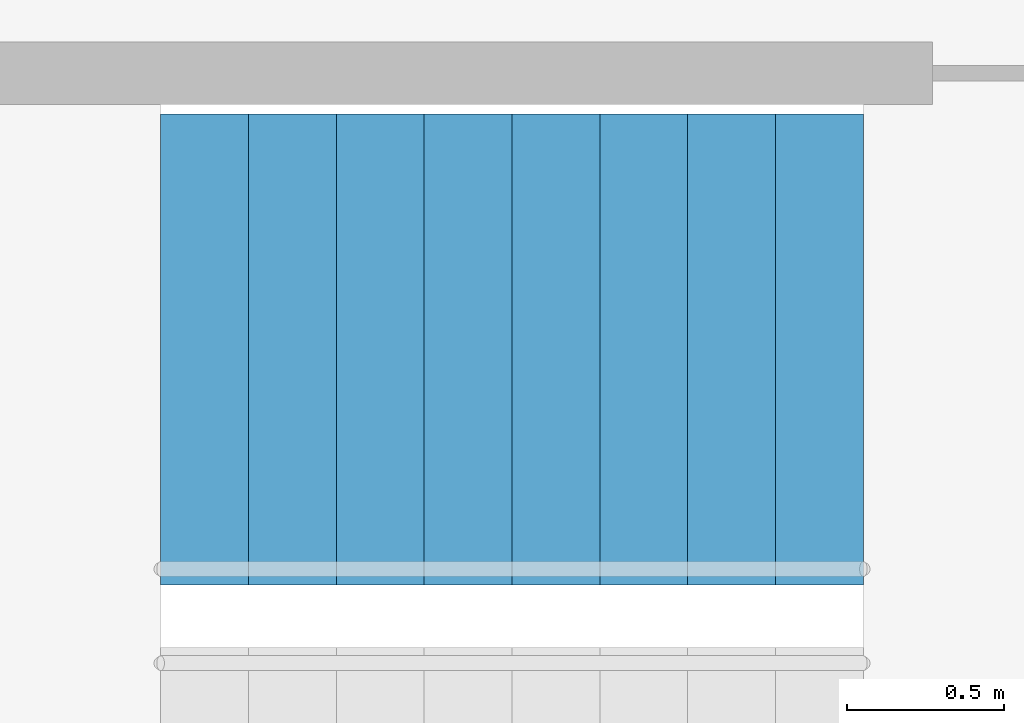
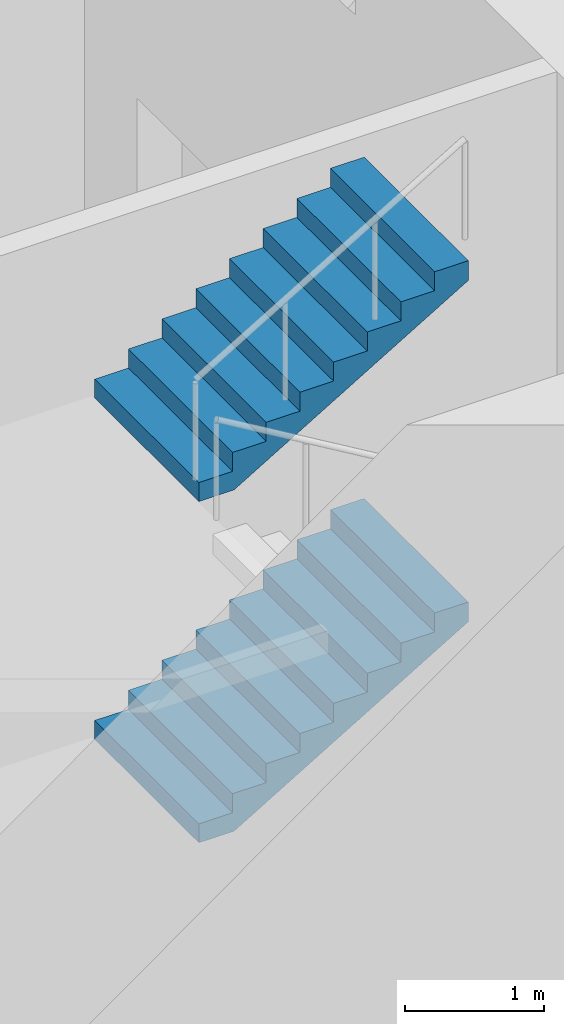
# One storey, part 20 of 21: 2 stair flights, 1 element without a shape of its own.
"""IFC4 building model written with IfcOpenShell, lengths in metres."""

from ifc_helpers import new_model, si_unit, direction, frame, origin, place, context, subcontext, project, spatial, triangles, material, type_object, element, aggregate, save


model = new_model("IFC4")

# Units and contexts
model_context = context("Model", 3, precision=1e-05, world=origin(), true_north=direction((0.0, 1.0)))
body_context = subcontext(model_context, "Body", "Model", "MODEL_VIEW")
ifc_project = project(units=[si_unit("LENGTHUNIT", "METRE"), si_unit("AREAUNIT", "SQUARE_METRE"), si_unit("VOLUMEUNIT", "CUBIC_METRE"), si_unit("PLANEANGLEUNIT", "RADIAN"), si_unit("MASSUNIT", "GRAM", prefix="KILO")], contexts=[model_context])

# Site, building, storey
site_placement = place(None, origin())
site = spatial("IfcSite", under=ifc_project, at=site_placement, CompositionType="ELEMENT")
building_placement = place(site_placement, origin())
building = spatial("IfcBuilding", under=site, at=building_placement, Name="Lantaw Convention Tower", CompositionType="ELEMENT")
storey_placement = place(building_placement, frame((0.0, 0.0, 284.39990234375)))
storey = spatial("IfcBuildingStorey", under=building, at=storey_placement, Name="L66", CompositionType="ELEMENT", Elevation=284.39990234375)

# Stair, stair flights
ifc_material = material(Name="Concrete C35/45", Category="concrete")
stair_type = type_object("IfcStairType", Name="Exit stair 1500 riser 166.67 in 4 flights", PredefinedType="HALF_TURN_STAIR", material=ifc_material)
stair_placement = place(storey_placement, origin())
stair = element("IfcStair", 1, at=stair_placement, inside=storey, type_object=stair_type, Name="Exit stair S2 L66", PredefinedType="HALF_TURN_STAIR")
stair_flight_type = type_object("IfcStairFlightType", Name="Stair flight 1500 riser 166.67", PredefinedType="STRAIGHT", material=ifc_material)
stair_flight_1_placement = place(storey_placement, frame((8.340087890625, -4.280029296875, 1.5), z_axis=(0.0, 0.0, 1.0), x_axis=(1.0, 0.0, 0.0)))
stair_flight_1 = element("IfcStairFlight", 2, at=stair_flight_1_placement, type_object=stair_flight_type, Name="S2 flight 2", NumberOfRisers=9, NumberOfTreads=8, PredefinedType="STRAIGHT", RiserHeight=0.166666667, TreadLength=0.28, context=body_context, shape_type="Tessellation", body=[
    triangles([(0.0, 0.75, 0.0), (0.0, 0.75, 0.166666667), (0.28, 0.75, 0.0), (0.28, 0.75, 0.166666667), (0.28, 0.75, 0.333333334), (0.2930734580690677, 0.75, 0.0), (0.2930734580690677, 0.75, 0.333333334), (0.56, 0.75, 0.1588848467052294), (0.56, 0.75, 0.333333334), (0.56, 0.75, 0.500000001), (0.8400000000000001, 0.75, 0.32555151370522933), (0.8400000000000001, 0.75, 0.500000001), (0.8400000000000001, 0.75, 0.666666668), (1.12, 0.75, 0.4922181807052293), (1.12, 0.75, 0.666666668), (1.12, 0.75, 0.833333335), (1.4000000000000001, 0.75, 0.6588848477052293), (1.4000000000000001, 0.75, 0.833333335), (1.4000000000000001, 0.75, 1.000000002), (1.6800000000000002, 0.75, 0.8255515147052293), (1.6800000000000002, 0.75, 1.000000002), (1.6800000000000002, 0.75, 1.166666669), (1.9600000000000002, 0.75, 0.9922181817052292), (1.9600000000000002, 0.75, 1.166666669), (1.9600000000000002, 0.75, 1.333333336), (2.24, 0.75, 1.1588848487052292), (2.24, 0.75, 1.333333336), (0.0, -0.75, 0.0), (0.0, -0.75, 0.166666667), (0.28, -0.75, 0.0), (0.28, -0.75, 0.166666667), (0.28, -0.75, 0.333333334), (0.2930734580690677, -0.75, 0.0), (0.2930734580690677, -0.75, 0.333333334), (0.56, -0.75, 0.1588848467052294), (0.56, -0.75, 0.333333334), (0.56, -0.75, 0.500000001), (0.8400000000000001, -0.75, 0.32555151370522933), (0.8400000000000001, -0.75, 0.500000001), (0.8400000000000001, -0.75, 0.666666668), (1.12, -0.75, 0.4922181807052293), (1.12, -0.75, 0.666666668), (1.12, -0.75, 0.833333335), (1.4000000000000001, -0.75, 0.6588848477052293), (1.4000000000000001, -0.75, 0.833333335), (1.4000000000000001, -0.75, 1.000000002), (1.6800000000000002, -0.75, 0.8255515147052293), (1.6800000000000002, -0.75, 1.000000002), (1.6800000000000002, -0.75, 1.166666669), (1.9600000000000002, -0.75, 0.9922181817052292), (1.9600000000000002, -0.75, 1.166666669), (1.9600000000000002, -0.75, 1.333333336), (2.24, -0.75, 1.1588848487052292), (2.24, -0.75, 1.333333336), (0.0, 0.15000000000000002, 0.166666667), (0.0, 0.15000000000000002, 0.0), (0.0, 0.0, 0.166666667), (0.0, 0.0, 0.0), (0.0, -0.15000000000000002, 0.166666667), (0.0, -0.15000000000000002, 0.0), (0.28, 0.15000000000000002, 0.333333334), (0.28, 0.15000000000000002, 0.166666667), (0.28, 0.0, 0.333333334), (0.28, 0.0, 0.166666667), (0.28, -0.15000000000000002, 0.333333334), (0.28, -0.15000000000000002, 0.166666667), (0.56, 0.15000000000000002, 0.500000001), (0.56, 0.15000000000000002, 0.333333334), (0.56, 0.0, 0.500000001), (0.56, 0.0, 0.333333334), (0.56, -0.15000000000000002, 0.500000001), (0.56, -0.15000000000000002, 0.333333334), (0.8400000000000001, 0.15000000000000002, 0.666666668), (0.8400000000000001, 0.15000000000000002, 0.500000001), (0.8400000000000001, 0.0, 0.666666668), (0.8400000000000001, 0.0, 0.500000001), (0.8400000000000001, -0.15000000000000002, 0.666666668), (0.8400000000000001, -0.15000000000000002, 0.500000001), (1.12, 0.15000000000000002, 0.833333335), (1.12, 0.15000000000000002, 0.666666668), (1.12, 0.0, 0.833333335), (1.12, 0.0, 0.666666668), (1.12, -0.15000000000000002, 0.833333335), (1.12, -0.15000000000000002, 0.666666668), (1.4000000000000001, 0.15000000000000002, 1.000000002), (1.4000000000000001, 0.15000000000000002, 0.833333335), (1.4000000000000001, 0.0, 1.000000002), (1.4000000000000001, 0.0, 0.833333335), (1.4000000000000001, -0.15000000000000002, 1.000000002), (1.4000000000000001, -0.15000000000000002, 0.833333335), (1.6800000000000002, 0.15000000000000002, 1.166666669), (1.6800000000000002, 0.15000000000000002, 1.000000002), (1.6800000000000002, 0.0, 1.166666669), (1.6800000000000002, 0.0, 1.000000002), (1.6800000000000002, -0.15000000000000002, 1.166666669), (1.6800000000000002, -0.15000000000000002, 1.000000002), (1.9600000000000002, 0.15000000000000002, 1.333333336), (1.9600000000000002, 0.15000000000000002, 1.166666669), (1.9600000000000002, 0.0, 1.333333336), (1.9600000000000002, 0.0, 1.166666669), (1.9600000000000002, -0.15000000000000002, 1.333333336), (1.9600000000000002, -0.15000000000000002, 1.166666669), (0.2930734580690677, 0.15000000000000002, 0.333333334), (0.2930734580690677, 0.0, 0.333333334), (0.2930734580690677, -0.15000000000000002, 0.333333334), (2.24, 0.15000000000000002, 1.333333336), (2.24, 0.0, 1.333333336), (2.24, -0.15000000000000002, 1.333333336), (2.24, 0.15000000000000002, 1.1588848487052292), (2.24, 0.0, 1.1588848487052292), (2.24, -0.15000000000000002, 1.1588848487052292), (1.9600000000000002, 0.15000000000000002, 0.9922181817052292), (1.9600000000000002, 0.0, 0.9922181817052292), (1.9600000000000002, -0.15000000000000002, 0.9922181817052292), (1.6800000000000002, 0.15000000000000002, 0.8255515147052293), (1.6800000000000002, 0.0, 0.8255515147052293), (1.6800000000000002, -0.15000000000000002, 0.8255515147052293), (1.4000000000000001, 0.15000000000000002, 0.6588848477052293), (1.4000000000000001, 0.0, 0.6588848477052293), (1.4000000000000001, -0.15000000000000002, 0.6588848477052293), (1.12, 0.15000000000000002, 0.4922181807052293), (1.12, 0.0, 0.4922181807052293), (1.12, -0.15000000000000002, 0.4922181807052293), (0.8400000000000001, 0.15000000000000002, 0.32555151370522933), (0.8400000000000001, 0.0, 0.32555151370522933), (0.8400000000000001, -0.15000000000000002, 0.32555151370522933), (0.56, 0.15000000000000002, 0.1588848467052294), (0.56, 0.0, 0.1588848467052294), (0.56, -0.15000000000000002, 0.1588848467052294), (0.2930734580690677, 0.15000000000000002, 0.0), (0.2930734580690677, 0.0, 0.0), (0.2930734580690677, -0.15000000000000002, 0.0), (0.28, 0.15000000000000002, 0.0), (0.28, 0.0, 0.0), (0.28, -0.15000000000000002, 0.0)], [[1, 4, 3], [1, 2, 4], [3, 4, 6], [4, 7, 6], [4, 5, 7], [6, 9, 8], [6, 7, 9], [8, 9, 11], [9, 12, 11], [9, 10, 12], [11, 12, 14], [12, 15, 14], [12, 13, 15], [14, 15, 17], [15, 18, 17], [15, 16, 18], [17, 18, 20], [18, 21, 20], [18, 19, 21], [20, 21, 23], [21, 24, 23], [21, 22, 24], [23, 24, 26], [24, 27, 26], [24, 25, 27], [28, 30, 31], [28, 31, 29], [30, 33, 31], [31, 33, 34], [31, 34, 32], [33, 35, 36], [33, 36, 34], [35, 38, 36], [36, 38, 39], [36, 39, 37], [38, 41, 39], [39, 41, 42], [39, 42, 40], [41, 44, 42], [42, 44, 45], [42, 45, 43], [44, 47, 45], [45, 47, 48], [45, 48, 46], [47, 50, 48], [48, 50, 51], [48, 51, 49], [50, 53, 51], [51, 53, 54], [51, 54, 52], [1, 55, 2], [1, 56, 55], [56, 57, 55], [56, 58, 57], [58, 59, 57], [58, 60, 59], [60, 29, 59], [60, 28, 29], [4, 61, 5], [4, 62, 61], [62, 63, 61], [62, 64, 63], [64, 65, 63], [64, 66, 65], [66, 32, 65], [66, 31, 32], [9, 67, 10], [9, 68, 67], [68, 69, 67], [68, 70, 69], [70, 71, 69], [70, 72, 71], [72, 37, 71], [72, 36, 37], [12, 73, 13], [12, 74, 73], [74, 75, 73], [74, 76, 75], [76, 77, 75], [76, 78, 77], [78, 40, 77], [78, 39, 40], [15, 79, 16], [15, 80, 79], [80, 81, 79], [80, 82, 81], [82, 83, 81], [82, 84, 83], [84, 43, 83], [84, 42, 43], [18, 85, 19], [18, 86, 85], [86, 87, 85], [86, 88, 87], [88, 89, 87], [88, 90, 89], [90, 46, 89], [90, 45, 46], [21, 91, 22], [21, 92, 91], [92, 93, 91], [92, 94, 93], [94, 95, 93], [94, 96, 95], [96, 49, 95], [96, 48, 49], [24, 97, 25], [24, 98, 97], [98, 99, 97], [98, 100, 99], [100, 101, 99], [100, 102, 101], [102, 52, 101], [102, 51, 52], [2, 62, 4], [2, 55, 62], [55, 64, 62], [55, 57, 64], [57, 66, 64], [57, 59, 66], [59, 31, 66], [59, 29, 31], [5, 103, 7], [5, 61, 103], [61, 104, 103], [61, 63, 104], [63, 105, 104], [63, 65, 105], [65, 34, 105], [65, 32, 34], [7, 68, 9], [7, 103, 68], [103, 70, 68], [103, 104, 70], [104, 72, 70], [104, 105, 72], [105, 36, 72], [105, 34, 36], [10, 74, 12], [10, 67, 74], [67, 76, 74], [67, 69, 76], [69, 78, 76], [69, 71, 78], [71, 39, 78], [71, 37, 39], [13, 80, 15], [13, 73, 80], [73, 82, 80], [73, 75, 82], [75, 84, 82], [75, 77, 84], [77, 42, 84], [77, 40, 42], [16, 86, 18], [16, 79, 86], [79, 88, 86], [79, 81, 88], [81, 90, 88], [81, 83, 90], [83, 45, 90], [83, 43, 45], [19, 92, 21], [19, 85, 92], [85, 94, 92], [85, 87, 94], [87, 96, 94], [87, 89, 96], [89, 48, 96], [89, 46, 48], [22, 98, 24], [22, 91, 98], [91, 100, 98], [91, 93, 100], [93, 102, 100], [93, 95, 102], [95, 51, 102], [95, 49, 51], [25, 106, 27], [25, 97, 106], [97, 107, 106], [97, 99, 107], [99, 108, 107], [99, 101, 108], [101, 54, 108], [101, 52, 54], [27, 109, 26], [27, 106, 109], [106, 110, 109], [106, 107, 110], [107, 111, 110], [107, 108, 111], [108, 53, 111], [108, 54, 53], [26, 112, 23], [26, 109, 112], [109, 113, 112], [109, 110, 113], [110, 114, 113], [110, 111, 114], [111, 50, 114], [111, 53, 50], [23, 115, 20], [23, 112, 115], [112, 116, 115], [112, 113, 116], [113, 117, 116], [113, 114, 117], [114, 47, 117], [114, 50, 47], [20, 118, 17], [20, 115, 118], [115, 119, 118], [115, 116, 119], [116, 120, 119], [116, 117, 120], [117, 44, 120], [117, 47, 44], [17, 121, 14], [17, 118, 121], [118, 122, 121], [118, 119, 122], [119, 123, 122], [119, 120, 123], [120, 41, 123], [120, 44, 41], [14, 124, 11], [14, 121, 124], [121, 125, 124], [121, 122, 125], [122, 126, 125], [122, 123, 126], [123, 38, 126], [123, 41, 38], [11, 127, 8], [11, 124, 127], [124, 128, 127], [124, 125, 128], [125, 129, 128], [125, 126, 129], [126, 35, 129], [126, 38, 35], [8, 130, 6], [8, 127, 130], [127, 131, 130], [127, 128, 131], [128, 132, 131], [128, 129, 132], [129, 33, 132], [129, 35, 33], [6, 133, 3], [6, 130, 133], [130, 134, 133], [130, 131, 134], [131, 135, 134], [131, 132, 135], [132, 30, 135], [132, 33, 30], [3, 56, 1], [3, 133, 56], [133, 58, 56], [133, 134, 58], [134, 60, 58], [134, 135, 60], [135, 28, 60], [135, 30, 28]], closed=True),
])
stair_flight_2_placement = place(storey_placement, frame((8.340087890625, -4.280029296875, 4.5), z_axis=(0.0, 0.0, 1.0), x_axis=(1.0, 0.0, 0.0)))
stair_flight_2 = element("IfcStairFlight", 3, at=stair_flight_2_placement, type_object=stair_flight_type, Name="S2 flight 4", NumberOfRisers=9, NumberOfTreads=8, PredefinedType="STRAIGHT", RiserHeight=0.166666667, TreadLength=0.28, context=body_context, shape_type="Tessellation", body=[
    triangles([(0.0, 0.75, 0.0), (0.0, 0.75, 0.166666667), (0.28, 0.75, 0.0), (0.28, 0.75, 0.166666667), (0.28, 0.75, 0.333333334), (0.2930734580690677, 0.75, 0.0), (0.2930734580690677, 0.75, 0.333333334), (0.56, 0.75, 0.1588848467052294), (0.56, 0.75, 0.333333334), (0.56, 0.75, 0.500000001), (0.8400000000000001, 0.75, 0.32555151370522933), (0.8400000000000001, 0.75, 0.500000001), (0.8400000000000001, 0.75, 0.666666668), (1.12, 0.75, 0.4922181807052293), (1.12, 0.75, 0.666666668), (1.12, 0.75, 0.833333335), (1.4000000000000001, 0.75, 0.6588848477052293), (1.4000000000000001, 0.75, 0.833333335), (1.4000000000000001, 0.75, 1.000000002), (1.6800000000000002, 0.75, 0.8255515147052293), (1.6800000000000002, 0.75, 1.000000002), (1.6800000000000002, 0.75, 1.166666669), (1.9600000000000002, 0.75, 0.9922181817052292), (1.9600000000000002, 0.75, 1.166666669), (1.9600000000000002, 0.75, 1.333333336), (2.24, 0.75, 1.1588848487052292), (2.24, 0.75, 1.333333336), (0.0, -0.75, 0.0), (0.0, -0.75, 0.166666667), (0.28, -0.75, 0.0), (0.28, -0.75, 0.166666667), (0.28, -0.75, 0.333333334), (0.2930734580690677, -0.75, 0.0), (0.2930734580690677, -0.75, 0.333333334), (0.56, -0.75, 0.1588848467052294), (0.56, -0.75, 0.333333334), (0.56, -0.75, 0.500000001), (0.8400000000000001, -0.75, 0.32555151370522933), (0.8400000000000001, -0.75, 0.500000001), (0.8400000000000001, -0.75, 0.666666668), (1.12, -0.75, 0.4922181807052293), (1.12, -0.75, 0.666666668), (1.12, -0.75, 0.833333335), (1.4000000000000001, -0.75, 0.6588848477052293), (1.4000000000000001, -0.75, 0.833333335), (1.4000000000000001, -0.75, 1.000000002), (1.6800000000000002, -0.75, 0.8255515147052293), (1.6800000000000002, -0.75, 1.000000002), (1.6800000000000002, -0.75, 1.166666669), (1.9600000000000002, -0.75, 0.9922181817052292), (1.9600000000000002, -0.75, 1.166666669), (1.9600000000000002, -0.75, 1.333333336), (2.24, -0.75, 1.1588848487052292), (2.24, -0.75, 1.333333336), (0.0, 0.15000000000000002, 0.166666667), (0.0, 0.15000000000000002, 0.0), (0.0, 0.0, 0.166666667), (0.0, 0.0, 0.0), (0.0, -0.15000000000000002, 0.166666667), (0.0, -0.15000000000000002, 0.0), (0.28, 0.15000000000000002, 0.333333334), (0.28, 0.15000000000000002, 0.166666667), (0.28, 0.0, 0.333333334), (0.28, 0.0, 0.166666667), (0.28, -0.15000000000000002, 0.333333334), (0.28, -0.15000000000000002, 0.166666667), (0.56, 0.15000000000000002, 0.500000001), (0.56, 0.15000000000000002, 0.333333334), (0.56, 0.0, 0.500000001), (0.56, 0.0, 0.333333334), (0.56, -0.15000000000000002, 0.500000001), (0.56, -0.15000000000000002, 0.333333334), (0.8400000000000001, 0.15000000000000002, 0.666666668), (0.8400000000000001, 0.15000000000000002, 0.500000001), (0.8400000000000001, 0.0, 0.666666668), (0.8400000000000001, 0.0, 0.500000001), (0.8400000000000001, -0.15000000000000002, 0.666666668), (0.8400000000000001, -0.15000000000000002, 0.500000001), (1.12, 0.15000000000000002, 0.833333335), (1.12, 0.15000000000000002, 0.666666668), (1.12, 0.0, 0.833333335), (1.12, 0.0, 0.666666668), (1.12, -0.15000000000000002, 0.833333335), (1.12, -0.15000000000000002, 0.666666668), (1.4000000000000001, 0.15000000000000002, 1.000000002), (1.4000000000000001, 0.15000000000000002, 0.833333335), (1.4000000000000001, 0.0, 1.000000002), (1.4000000000000001, 0.0, 0.833333335), (1.4000000000000001, -0.15000000000000002, 1.000000002), (1.4000000000000001, -0.15000000000000002, 0.833333335), (1.6800000000000002, 0.15000000000000002, 1.166666669), (1.6800000000000002, 0.15000000000000002, 1.000000002), (1.6800000000000002, 0.0, 1.166666669), (1.6800000000000002, 0.0, 1.000000002), (1.6800000000000002, -0.15000000000000002, 1.166666669), (1.6800000000000002, -0.15000000000000002, 1.000000002), (1.9600000000000002, 0.15000000000000002, 1.333333336), (1.9600000000000002, 0.15000000000000002, 1.166666669), (1.9600000000000002, 0.0, 1.333333336), (1.9600000000000002, 0.0, 1.166666669), (1.9600000000000002, -0.15000000000000002, 1.333333336), (1.9600000000000002, -0.15000000000000002, 1.166666669), (0.2930734580690677, 0.15000000000000002, 0.333333334), (0.2930734580690677, 0.0, 0.333333334), (0.2930734580690677, -0.15000000000000002, 0.333333334), (2.24, 0.15000000000000002, 1.333333336), (2.24, 0.0, 1.333333336), (2.24, -0.15000000000000002, 1.333333336), (2.24, 0.15000000000000002, 1.1588848487052292), (2.24, 0.0, 1.1588848487052292), (2.24, -0.15000000000000002, 1.1588848487052292), (1.9600000000000002, 0.15000000000000002, 0.9922181817052292), (1.9600000000000002, 0.0, 0.9922181817052292), (1.9600000000000002, -0.15000000000000002, 0.9922181817052292), (1.6800000000000002, 0.15000000000000002, 0.8255515147052293), (1.6800000000000002, 0.0, 0.8255515147052293), (1.6800000000000002, -0.15000000000000002, 0.8255515147052293), (1.4000000000000001, 0.15000000000000002, 0.6588848477052293), (1.4000000000000001, 0.0, 0.6588848477052293), (1.4000000000000001, -0.15000000000000002, 0.6588848477052293), (1.12, 0.15000000000000002, 0.4922181807052293), (1.12, 0.0, 0.4922181807052293), (1.12, -0.15000000000000002, 0.4922181807052293), (0.8400000000000001, 0.15000000000000002, 0.32555151370522933), (0.8400000000000001, 0.0, 0.32555151370522933), (0.8400000000000001, -0.15000000000000002, 0.32555151370522933), (0.56, 0.15000000000000002, 0.1588848467052294), (0.56, 0.0, 0.1588848467052294), (0.56, -0.15000000000000002, 0.1588848467052294), (0.2930734580690677, 0.15000000000000002, 0.0), (0.2930734580690677, 0.0, 0.0), (0.2930734580690677, -0.15000000000000002, 0.0), (0.28, 0.15000000000000002, 0.0), (0.28, 0.0, 0.0), (0.28, -0.15000000000000002, 0.0)], [[1, 4, 3], [1, 2, 4], [3, 4, 6], [4, 7, 6], [4, 5, 7], [6, 9, 8], [6, 7, 9], [8, 9, 11], [9, 12, 11], [9, 10, 12], [11, 12, 14], [12, 15, 14], [12, 13, 15], [14, 15, 17], [15, 18, 17], [15, 16, 18], [17, 18, 20], [18, 21, 20], [18, 19, 21], [20, 21, 23], [21, 24, 23], [21, 22, 24], [23, 24, 26], [24, 27, 26], [24, 25, 27], [28, 30, 31], [28, 31, 29], [30, 33, 31], [31, 33, 34], [31, 34, 32], [33, 35, 36], [33, 36, 34], [35, 38, 36], [36, 38, 39], [36, 39, 37], [38, 41, 39], [39, 41, 42], [39, 42, 40], [41, 44, 42], [42, 44, 45], [42, 45, 43], [44, 47, 45], [45, 47, 48], [45, 48, 46], [47, 50, 48], [48, 50, 51], [48, 51, 49], [50, 53, 51], [51, 53, 54], [51, 54, 52], [1, 55, 2], [1, 56, 55], [56, 57, 55], [56, 58, 57], [58, 59, 57], [58, 60, 59], [60, 29, 59], [60, 28, 29], [4, 61, 5], [4, 62, 61], [62, 63, 61], [62, 64, 63], [64, 65, 63], [64, 66, 65], [66, 32, 65], [66, 31, 32], [9, 67, 10], [9, 68, 67], [68, 69, 67], [68, 70, 69], [70, 71, 69], [70, 72, 71], [72, 37, 71], [72, 36, 37], [12, 73, 13], [12, 74, 73], [74, 75, 73], [74, 76, 75], [76, 77, 75], [76, 78, 77], [78, 40, 77], [78, 39, 40], [15, 79, 16], [15, 80, 79], [80, 81, 79], [80, 82, 81], [82, 83, 81], [82, 84, 83], [84, 43, 83], [84, 42, 43], [18, 85, 19], [18, 86, 85], [86, 87, 85], [86, 88, 87], [88, 89, 87], [88, 90, 89], [90, 46, 89], [90, 45, 46], [21, 91, 22], [21, 92, 91], [92, 93, 91], [92, 94, 93], [94, 95, 93], [94, 96, 95], [96, 49, 95], [96, 48, 49], [24, 97, 25], [24, 98, 97], [98, 99, 97], [98, 100, 99], [100, 101, 99], [100, 102, 101], [102, 52, 101], [102, 51, 52], [2, 62, 4], [2, 55, 62], [55, 64, 62], [55, 57, 64], [57, 66, 64], [57, 59, 66], [59, 31, 66], [59, 29, 31], [5, 103, 7], [5, 61, 103], [61, 104, 103], [61, 63, 104], [63, 105, 104], [63, 65, 105], [65, 34, 105], [65, 32, 34], [7, 68, 9], [7, 103, 68], [103, 70, 68], [103, 104, 70], [104, 72, 70], [104, 105, 72], [105, 36, 72], [105, 34, 36], [10, 74, 12], [10, 67, 74], [67, 76, 74], [67, 69, 76], [69, 78, 76], [69, 71, 78], [71, 39, 78], [71, 37, 39], [13, 80, 15], [13, 73, 80], [73, 82, 80], [73, 75, 82], [75, 84, 82], [75, 77, 84], [77, 42, 84], [77, 40, 42], [16, 86, 18], [16, 79, 86], [79, 88, 86], [79, 81, 88], [81, 90, 88], [81, 83, 90], [83, 45, 90], [83, 43, 45], [19, 92, 21], [19, 85, 92], [85, 94, 92], [85, 87, 94], [87, 96, 94], [87, 89, 96], [89, 48, 96], [89, 46, 48], [22, 98, 24], [22, 91, 98], [91, 100, 98], [91, 93, 100], [93, 102, 100], [93, 95, 102], [95, 51, 102], [95, 49, 51], [25, 106, 27], [25, 97, 106], [97, 107, 106], [97, 99, 107], [99, 108, 107], [99, 101, 108], [101, 54, 108], [101, 52, 54], [27, 109, 26], [27, 106, 109], [106, 110, 109], [106, 107, 110], [107, 111, 110], [107, 108, 111], [108, 53, 111], [108, 54, 53], [26, 112, 23], [26, 109, 112], [109, 113, 112], [109, 110, 113], [110, 114, 113], [110, 111, 114], [111, 50, 114], [111, 53, 50], [23, 115, 20], [23, 112, 115], [112, 116, 115], [112, 113, 116], [113, 117, 116], [113, 114, 117], [114, 47, 117], [114, 50, 47], [20, 118, 17], [20, 115, 118], [115, 119, 118], [115, 116, 119], [116, 120, 119], [116, 117, 120], [117, 44, 120], [117, 47, 44], [17, 121, 14], [17, 118, 121], [118, 122, 121], [118, 119, 122], [119, 123, 122], [119, 120, 123], [120, 41, 123], [120, 44, 41], [14, 124, 11], [14, 121, 124], [121, 125, 124], [121, 122, 125], [122, 126, 125], [122, 123, 126], [123, 38, 126], [123, 41, 38], [11, 127, 8], [11, 124, 127], [124, 128, 127], [124, 125, 128], [125, 129, 128], [125, 126, 129], [126, 35, 129], [126, 38, 35], [8, 130, 6], [8, 127, 130], [127, 131, 130], [127, 128, 131], [128, 132, 131], [128, 129, 132], [129, 33, 132], [129, 35, 33], [6, 133, 3], [6, 130, 133], [130, 134, 133], [130, 131, 134], [131, 135, 134], [131, 132, 135], [132, 30, 135], [132, 33, 30], [3, 56, 1], [3, 133, 56], [133, 58, 56], [133, 134, 58], [134, 60, 58], [134, 135, 60], [135, 28, 60], [135, 30, 28]], closed=True),
])
aggregate(stair, [stair_flight_1, stair_flight_2])

save(model, "model.ifc")
